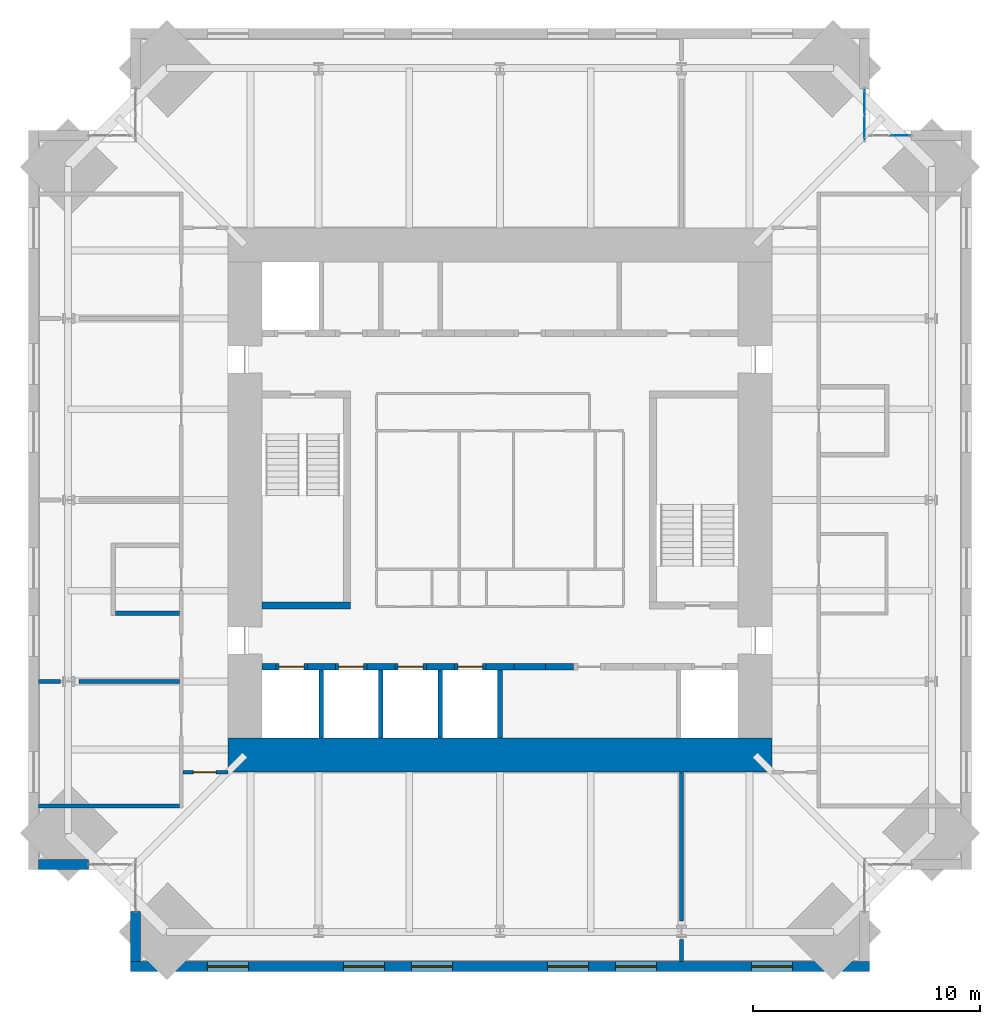
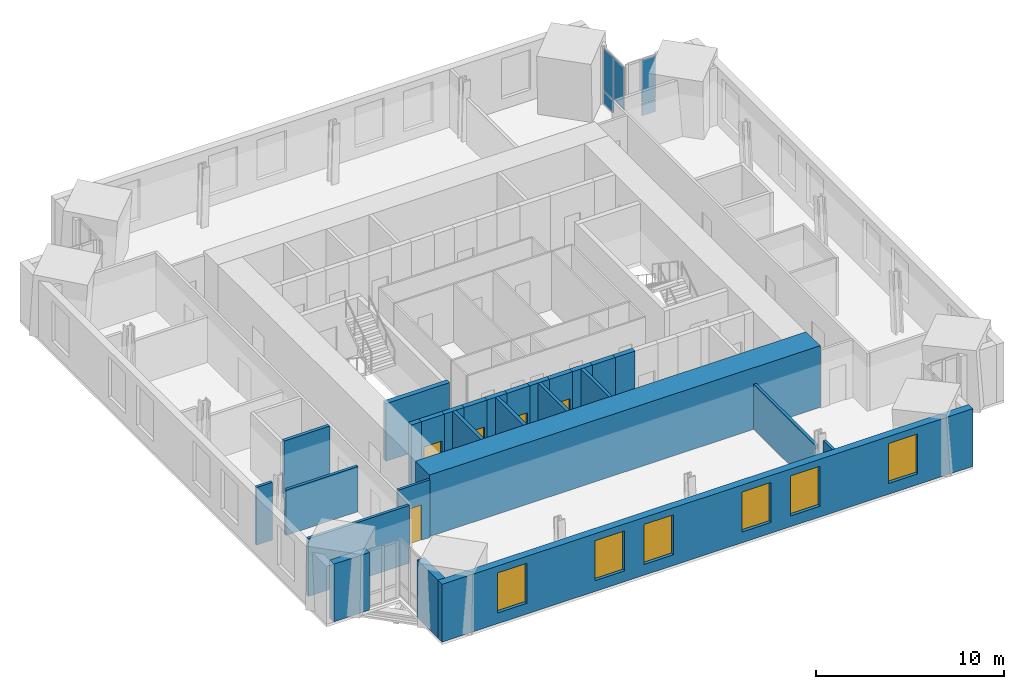
# One storey, part 10 of 15: 27 walls, 6 windows, 5 doors, 5 plates, 11 openings, 2 elements without a shape of their own.
"""IFC4 building model written with IfcOpenShell, lengths in metres."""

from ifc_helpers import new_model, si_unit, direction, frame, frame_2d, origin, origin_2d, place, context, subcontext, project, spatial, rectangle, extrude, material, layer, layer_set, type_object, element, fill, aggregate, save


model = new_model("IFC4")

# Units and contexts
model_context = context("Model", 3, precision=1e-05, world=origin(), true_north=direction((0.0, 1.0)))
body_context = subcontext(model_context, "Body", "Model", "MODEL_VIEW")
ifc_project = project(units=[si_unit("LENGTHUNIT", "METRE"), si_unit("AREAUNIT", "SQUARE_METRE"), si_unit("VOLUMEUNIT", "CUBIC_METRE"), si_unit("PLANEANGLEUNIT", "RADIAN"), si_unit("MASSUNIT", "GRAM", prefix="KILO")], contexts=[model_context])

# Site, building, storey
site_placement = place(None, origin())
site = spatial("IfcSite", under=ifc_project, at=site_placement, CompositionType="ELEMENT")
building_placement = place(site_placement, origin())
building = spatial("IfcBuilding", under=site, at=building_placement, Name="Peilmerk Tower", CompositionType="ELEMENT")
storey_placement = place(building_placement, frame((0.0, 0.0, 293.800048828125)))
storey = spatial("IfcBuildingStorey", under=building, at=storey_placement, Name="L66", CompositionType="ELEMENT", Elevation=293.800048828125)

# Curtain wall, plates
ifc_material_1 = material(Name="Aluminium stick curtain wall", Category="aluminium")
curtain_wall_type = type_object("IfcCurtainWallType", Name="CW4 stick curtain wall, 2250 module", PredefinedType="NOTDEFINED", material=ifc_material_1)
curtain_wall_1_placement = place(storey_placement, origin())
curtain_wall_1 = element("IfcCurtainWall", 1, at=curtain_wall_1_placement, inside=storey, type_object=curtain_wall_type, Name="Curtain wall CW4 NEA L66", PredefinedType="NOTDEFINED")
ifc_material_2 = material(Name="Clear insulated glazing unit", Category="glass")
ifc_layer_1 = layer(ifc_material_2, 0.028076171875)
ifc_layer_set_1 = layer_set([ifc_layer_1], Name="Clear insulated glazing unit")
plate_type = type_object("IfcPlateType", Name="CW4-P 28 glazed panel", PredefinedType="CURTAIN_PANEL", material=ifc_layer_set_1)
plate_1_placement = place(storey_placement, frame((16.074951171875, 16.4384765625, 0.932373046875), z_axis=(0.0, 0.0, 1.0), x_axis=(0.0, 1.0, 0.0)))
plate_1 = element("IfcPlate", 2, at=plate_1_placement, type_object=plate_type, Name="CW4 panel 1.2", PredefinedType="CURTAIN_PANEL", context=body_context, shape_type="SweptSolid", body=[
    extrude(rectangle(XDim=1.046875, YDim=0.028076171875, at=origin_2d()), origin(), (0.0, 0.0, 1.0), 2.75244140625),
])
plate_2_placement = place(storey_placement, frame((16.074951171875, 17.55029296875, 0.06494140625), z_axis=(0.0, 0.0, 1.0), x_axis=(0.0, 1.0, 0.0)))
plate_2 = element("IfcPlate", 3, at=plate_2_placement, type_object=plate_type, Name="CW4 panel 2.1", PredefinedType="CURTAIN_PANEL", context=body_context, shape_type="SweptSolid", body=[
    extrude(rectangle(XDim=1.046875, YDim=0.028076171875, at=origin_2d()), origin(), (0.0, 0.0, 1.0), 0.802490234375),
])
plate_3_placement = place(storey_placement, frame((16.074951171875, 17.55029296875, 0.932373046875), z_axis=(0.0, 0.0, 1.0), x_axis=(0.0, 1.0, 0.0)))
plate_3 = element("IfcPlate", 4, at=plate_3_placement, type_object=plate_type, Name="CW4 panel 2.2", PredefinedType="CURTAIN_PANEL", context=body_context, shape_type="SweptSolid", body=[
    extrude(rectangle(XDim=1.046875, YDim=0.028076171875, at=origin_2d()), origin(), (0.0, 0.0, 1.0), 2.75244140625),
])
aggregate(curtain_wall_1, [plate_1, plate_2, plate_3])

curtain_wall_2_placement = place(storey_placement, origin())
curtain_wall_2 = element("IfcCurtainWall", 5, at=curtain_wall_2_placement, inside=storey, type_object=curtain_wall_type, Name="Curtain wall CW4 NEB L66", PredefinedType="NOTDEFINED")
plate_4_placement = place(storey_placement, frame((17.662841796875, 16.074951171875, 0.06494140625), z_axis=(0.0, 0.0, 1.0), x_axis=(1.0, 0.0, 0.0)))
plate_4 = element("IfcPlate", 6, at=plate_4_placement, type_object=plate_type, Name="CW4 panel 2.1", PredefinedType="CURTAIN_PANEL", context=body_context, shape_type="SweptSolid", body=[
    extrude(rectangle(XDim=0.82177734375, YDim=0.028076171875, at=origin_2d()), origin(), (0.0, 0.0, 1.0), 0.802490234375),
])
plate_5_placement = place(storey_placement, frame((17.662841796875, 16.074951171875, 0.932373046875), z_axis=(0.0, 0.0, 1.0), x_axis=(1.0, 0.0, 0.0)))
plate_5 = element("IfcPlate", 7, at=plate_5_placement, type_object=plate_type, Name="CW4 panel 2.2", PredefinedType="CURTAIN_PANEL", context=body_context, shape_type="SweptSolid", body=[
    extrude(rectangle(XDim=0.82177734375, YDim=0.028076171875, at=origin_2d()), origin(), (0.0, 0.0, 1.0), 2.75244140625),
])
aggregate(curtain_wall_2, [plate_4, plate_5])

# Wall, openings, windows
ifc_material_3 = material(Name="Precast concrete C45/55, board-marked finish", Category="concrete")
ifc_layer_2 = layer(ifc_material_3, 0.449951171875)
ifc_layer_set_2 = layer_set([ifc_layer_2], Name="Precast concrete C45/55, board-marked finish")
wall_type_1 = type_object("IfcWallType", Name="EW1 450 precast concrete facade wall, board-marked", PredefinedType="SOLIDWALL", material=ifc_layer_set_2)
wall_1_placement = place(storey_placement, frame((-16.300048828125, -20.574951171875, 0.0), z_axis=(0.0, 0.0, 1.0), x_axis=(1.0, 0.0, 0.0)))
wall_1 = element("IfcWall", 8, at=wall_1_placement, inside=storey, type_object=wall_type_1, Name="Facade wall S L66", PredefinedType="SOLIDWALL", context=body_context, shape_type="SweptSolid", body=[
    extrude(rectangle(XDim=32.60009765625, YDim=0.449951171875, at=frame_2d((16.300048828125, 0.0))), origin(), (0.0, 0.0, 1.0), 3.75),
])
opening_1_placement = place(wall_1_placement, frame((3.39990234375, 0.0, 0.699951171875)))
opening_1 = element("IfcOpeningElement", 9, at=opening_1_placement, cuts=wall_1, Name="Opening W1", PredefinedType="OPENING", context=body_context, shape_type="SweptSolid", body=[
    extrude(rectangle(XDim=1.800048828125, YDim=2.60009765625, at=frame_2d((0.89990234375, 1.300048828125))), frame((0.0, 0.23486328125, 0.0), z_axis=(0.0, -1.0, 0.0), x_axis=(1.0, 0.0, 0.0)), (0.0, 0.0, 1.0), 0.469970703125),
])
opening_2_placement = place(wall_1_placement, frame((9.39990234375, 0.0, 0.699951171875)))
opening_2 = element("IfcOpeningElement", 10, at=opening_2_placement, cuts=wall_1, Name="Opening W1", PredefinedType="OPENING", context=body_context, shape_type="SweptSolid", body=[
    extrude(rectangle(XDim=1.800048828125, YDim=2.60009765625, at=frame_2d((0.89990234375, 1.300048828125))), frame((0.0, 0.23486328125, 0.0), z_axis=(0.0, -1.0, 0.0), x_axis=(1.0, 0.0, 0.0)), (0.0, 0.0, 1.0), 0.469970703125),
])
opening_3_placement = place(wall_1_placement, frame((12.39990234375, 0.0, 0.699951171875)))
opening_3 = element("IfcOpeningElement", 11, at=opening_3_placement, cuts=wall_1, Name="Opening W1", PredefinedType="OPENING", context=body_context, shape_type="SweptSolid", body=[
    extrude(rectangle(XDim=1.800048828125, YDim=2.60009765625, at=frame_2d((0.89990234375, 1.300048828125))), frame((0.0, 0.23486328125, 0.0), z_axis=(0.0, -1.0, 0.0), x_axis=(1.0, 0.0, 0.0)), (0.0, 0.0, 1.0), 0.469970703125),
])
opening_4_placement = place(wall_1_placement, frame((18.39990234375, 0.0, 0.699951171875)))
opening_4 = element("IfcOpeningElement", 12, at=opening_4_placement, cuts=wall_1, Name="Opening W1", PredefinedType="OPENING", context=body_context, shape_type="SweptSolid", body=[
    extrude(rectangle(XDim=1.800048828125, YDim=2.60009765625, at=frame_2d((0.89990234375, 1.300048828125))), frame((0.0, 0.23486328125, 0.0), z_axis=(0.0, -1.0, 0.0), x_axis=(1.0, 0.0, 0.0)), (0.0, 0.0, 1.0), 0.469970703125),
])
opening_5_placement = place(wall_1_placement, frame((21.39990234375, 0.0, 0.699951171875)))
opening_5 = element("IfcOpeningElement", 13, at=opening_5_placement, cuts=wall_1, Name="Opening W1", PredefinedType="OPENING", context=body_context, shape_type="SweptSolid", body=[
    extrude(rectangle(XDim=1.800048828125, YDim=2.60009765625, at=frame_2d((0.89990234375, 1.300048828125))), frame((0.0, 0.23486328125, 0.0), z_axis=(0.0, -1.0, 0.0), x_axis=(1.0, 0.0, 0.0)), (0.0, 0.0, 1.0), 0.469970703125),
])
opening_6_placement = place(wall_1_placement, frame((27.39990234375, 0.0, 0.699951171875)))
opening_6 = element("IfcOpeningElement", 14, at=opening_6_placement, cuts=wall_1, Name="Opening W1", PredefinedType="OPENING", context=body_context, shape_type="SweptSolid", body=[
    extrude(rectangle(XDim=1.800048828125, YDim=2.60009765625, at=frame_2d((0.89990234375, 1.300048828125))), frame((0.0, 0.23486328125, 0.0), z_axis=(0.0, -1.0, 0.0), x_axis=(1.0, 0.0, 0.0)), (0.0, 0.0, 1.0), 0.469970703125),
])
ifc_material_4 = material(Name="Aluminium frame, clear double glazing", Category="aluminium")
window_type = type_object("IfcWindowType", Name="W1 1800x2600 office window", PartitioningType="SINGLE_PANEL", PredefinedType="WINDOW", material=ifc_material_4)
window_1_placement = place(opening_1_placement, origin())
window_1 = element("IfcWindow", 15, at=window_1_placement, inside=storey, type_object=window_type, Name="Window W1 L66", OverallHeight=2.60009765625, OverallWidth=1.800048828125, PartitioningType="SINGLE_PANEL", PredefinedType="WINDOW", context=body_context, shape_type="SweptSolid", body=[
    extrude(rectangle(XDim=1.800048828125, YDim=2.60009765625, at=frame_2d((0.89990234375, 1.300048828125))), frame((0.0, 0.030029296875, 0.0), z_axis=(0.0, -1.0, 0.0), x_axis=(1.0, 0.0, 0.0)), (0.0, 0.0, 1.0), 0.06005859375),
])
fill(opening_1, window_1)
window_2_placement = place(opening_2_placement, origin())
window_2 = element("IfcWindow", 16, at=window_2_placement, inside=storey, type_object=window_type, Name="Window W1 L66", OverallHeight=2.60009765625, OverallWidth=1.800048828125, PartitioningType="SINGLE_PANEL", PredefinedType="WINDOW", context=body_context, shape_type="SweptSolid", body=[
    extrude(rectangle(XDim=1.800048828125, YDim=2.60009765625, at=frame_2d((0.89990234375, 1.300048828125))), frame((0.0, 0.030029296875, 0.0), z_axis=(0.0, -1.0, 0.0), x_axis=(1.0, 0.0, 0.0)), (0.0, 0.0, 1.0), 0.06005859375),
])
fill(opening_2, window_2)
window_3_placement = place(opening_3_placement, origin())
window_3 = element("IfcWindow", 17, at=window_3_placement, inside=storey, type_object=window_type, Name="Window W1 L66", OverallHeight=2.60009765625, OverallWidth=1.800048828125, PartitioningType="SINGLE_PANEL", PredefinedType="WINDOW", context=body_context, shape_type="SweptSolid", body=[
    extrude(rectangle(XDim=1.800048828125, YDim=2.60009765625, at=frame_2d((0.89990234375, 1.300048828125))), frame((0.0, 0.030029296875, 0.0), z_axis=(0.0, -1.0, 0.0), x_axis=(1.0, 0.0, 0.0)), (0.0, 0.0, 1.0), 0.06005859375),
])
fill(opening_3, window_3)
window_4_placement = place(opening_4_placement, origin())
window_4 = element("IfcWindow", 18, at=window_4_placement, inside=storey, type_object=window_type, Name="Window W1 L66", OverallHeight=2.60009765625, OverallWidth=1.800048828125, PartitioningType="SINGLE_PANEL", PredefinedType="WINDOW", context=body_context, shape_type="SweptSolid", body=[
    extrude(rectangle(XDim=1.800048828125, YDim=2.60009765625, at=frame_2d((0.89990234375, 1.300048828125))), frame((0.0, 0.030029296875, 0.0), z_axis=(0.0, -1.0, 0.0), x_axis=(1.0, 0.0, 0.0)), (0.0, 0.0, 1.0), 0.06005859375),
])
fill(opening_4, window_4)
window_5_placement = place(opening_5_placement, origin())
window_5 = element("IfcWindow", 19, at=window_5_placement, inside=storey, type_object=window_type, Name="Window W1 L66", OverallHeight=2.60009765625, OverallWidth=1.800048828125, PartitioningType="SINGLE_PANEL", PredefinedType="WINDOW", context=body_context, shape_type="SweptSolid", body=[
    extrude(rectangle(XDim=1.800048828125, YDim=2.60009765625, at=frame_2d((0.89990234375, 1.300048828125))), frame((0.0, 0.030029296875, 0.0), z_axis=(0.0, -1.0, 0.0), x_axis=(1.0, 0.0, 0.0)), (0.0, 0.0, 1.0), 0.06005859375),
])
fill(opening_5, window_5)
window_6_placement = place(opening_6_placement, origin())
window_6 = element("IfcWindow", 20, at=window_6_placement, inside=storey, type_object=window_type, Name="Window W1 L66", OverallHeight=2.60009765625, OverallWidth=1.800048828125, PartitioningType="SINGLE_PANEL", PredefinedType="WINDOW", context=body_context, shape_type="SweptSolid", body=[
    extrude(rectangle(XDim=1.800048828125, YDim=2.60009765625, at=frame_2d((0.89990234375, 1.300048828125))), frame((0.0, 0.030029296875, 0.0), z_axis=(0.0, -1.0, 0.0), x_axis=(1.0, 0.0, 0.0)), (0.0, 0.0, 1.0), 0.06005859375),
])
fill(opening_6, window_6)

# Walls
for number, where, z_axis, x_axis, name in (
    (21, (-16.074951171875, -18.153564453125, 0.0), (0.0, 0.0, 1.0), (0.0, -1.0, 0.0), "Facade wall SWA L66"),
    (22, (-18.153564453125, -16.074951171875, 0.0), (0.0, 0.0, 1.0), (-1.0, 0.0, 0.0), "Facade wall SWB L66"),
):
    element("IfcWall", number, at=place(storey_placement, frame(where, z_axis=z_axis, x_axis=x_axis)), inside=storey, type_object=wall_type_1, Name=name, PredefinedType="SOLIDWALL", context=body_context, shape_type="SweptSolid", body=[
        extrude(rectangle(XDim=2.196533203125, YDim=0.449951171875, at=frame_2d((1.09814453125, 0.0))), origin(), (0.0, 0.0, 1.0), 3.75),
    ])

# Wall, opening, door
ifc_material_5 = material(Name="Calcium silicate block", Category="masonry")
ifc_layer_3 = layer(ifc_material_5, 0.14990234375)
ifc_layer_set_3 = layer_set([ifc_layer_3], Name="Calcium silicate block")
wall_type_2 = type_object("IfcWallType", Name="IW1 150 corridor partition, EI 60", PredefinedType="PARTITIONING", material=ifc_layer_set_3)
wall_2_placement = place(storey_placement, frame((-12.0, -12.0, 0.0), z_axis=(0.0, 0.0, 1.0), x_axis=(-1.0, 0.0, 0.0)))
wall_2 = element("IfcWall", 23, at=wall_2_placement, inside=storey, type_object=wall_type_2, Name="Corridor wall SW L66", PredefinedType="PARTITIONING", context=body_context, shape_type="SweptSolid", body=[
    extrude(rectangle(XDim=1.97509765625, YDim=0.14990234375, at=frame_2d((0.987548828125, 0.0))), origin(), (0.0, 0.0, 1.0), 3.75),
])
opening_7_placement = place(wall_2_placement, frame((0.52490234375, 0.0, 0.0)))
opening_7 = element("IfcOpeningElement", 24, at=opening_7_placement, cuts=wall_2, Name="Opening D1", PredefinedType="OPENING", context=body_context, shape_type="SweptSolid", body=[
    extrude(rectangle(XDim=1.0, YDim=2.300048828125, at=frame_2d((0.5, 1.14990234375))), frame((0.0, 0.0849609375, 0.0), z_axis=(0.0, -1.0, 0.0), x_axis=(1.0, 0.0, 0.0)), (0.0, 0.0, 1.0), 0.169921875),
])
ifc_material_6 = material(Name="Timber door in steel frame", Category="steel")
door_type_1 = type_object("IfcDoorType", Name="D1 1000x2300 room door, EI2 30", OperationType="SINGLE_SWING_LEFT", PredefinedType="DOOR", material=ifc_material_6)
door_1_placement = place(opening_7_placement, origin())
door_1 = element("IfcDoor", 25, at=door_1_placement, inside=storey, type_object=door_type_1, Name="Door Reception L66", OperationType="SINGLE_SWING_LEFT", OverallHeight=2.300048828125, OverallWidth=1.0, PredefinedType="DOOR", context=body_context, shape_type="SweptSolid", body=[
    extrude(rectangle(XDim=1.0, YDim=2.300048828125, at=frame_2d((0.5, 1.14990234375))), frame((0.0, 0.02490234375, 0.0), z_axis=(0.0, -1.0, 0.0), x_axis=(1.0, 0.0, 0.0)), (0.0, 0.0, 1.0), 0.050048828125),
])
fill(opening_7, door_1)

# Walls
ifc_layer_4 = layer(ifc_material_5, 0.199951171875)
ifc_layer_set_4 = layer_set([ifc_layer_4], Name="Calcium silicate block")
wall_type_3 = type_object("IfcWallType", Name="IW2 200 room separating wall, EI 120", PredefinedType="PARTITIONING", material=ifc_layer_set_4)
wall_3_placement = place(storey_placement, frame((-14.125, -5.0, 0.0), z_axis=(0.0, 0.0, 1.0), x_axis=(-1.0, 0.0, 0.0)))
element("IfcWall", 26, at=wall_3_placement, inside=storey, type_object=wall_type_3, Name="Room separating wall Staff room L66", PredefinedType="PARTITIONING", context=body_context, shape_type="SweptSolid", body=[
    extrude(rectangle(XDim=2.824951171875, YDim=0.199951171875, at=frame_2d((1.41259765625, 0.0))), origin(), (0.0, 0.0, 1.0), 3.75),
])
ifc_material_7 = material(Name="Concrete C35/45", Category="concrete")
ifc_layer_5 = layer(ifc_material_7, 0.300048828125)
ifc_layer_set_5 = layer_set([ifc_layer_5], Name="Concrete C35/45")
wall_type_4 = type_object("IfcWallType", Name="IW3 300 concrete stair enclosure wall, EI 120", PredefinedType="SOLIDWALL", material=ifc_layer_set_5)
wall_4_placement = place(storey_placement, frame((-6.60009765625, -4.64990234375, 0.0), z_axis=(0.0, 0.0, 1.0), x_axis=(-1.0, 0.0, 0.0)))
element("IfcWall", 27, at=wall_4_placement, inside=storey, type_object=wall_type_4, Name="Stair 1 enclosure L66", PredefinedType="SOLIDWALL", context=body_context, shape_type="SweptSolid", body=[
    extrude(rectangle(XDim=3.89990234375, YDim=0.300048828125, at=frame_2d((1.949951171875, 0.0))), origin(), (0.0, 0.0, 1.0), 3.75),
])
ifc_layer_6 = layer(ifc_material_5, 0.175048828125)
ifc_layer_set_6 = layer_set([ifc_layer_6], Name="Calcium silicate block")
wall_type_5 = type_object("IfcWallType", Name="IW8 175 tenant separating wall, EI 60", PredefinedType="PARTITIONING", material=ifc_layer_set_6)
wall_5_placement = place(storey_placement, frame((-14.125, -13.5, 0.0), z_axis=(0.0, 0.0, 1.0), x_axis=(-1.0, 0.0, 0.0)))
element("IfcWall", 28, at=wall_5_placement, inside=storey, type_object=wall_type_5, Name="Tenant separating wall SW L66", PredefinedType="PARTITIONING", context=body_context, shape_type="SweptSolid", body=[
    extrude(rectangle(XDim=6.22509765625, YDim=0.175048828125, at=frame_2d((3.112548828125, 0.0))), origin(), (0.0, 0.0, 1.0), 3.75),
])
wall_6_placement = place(storey_placement, frame((8.0, -12.0, 0.0), z_axis=(0.0, 0.0, 1.0), x_axis=(0.0, -1.0, 0.0)))
element("IfcWall", 29, at=wall_6_placement, inside=storey, type_object=wall_type_5, Name="Tenant separating wall S1 L66", PredefinedType="PARTITIONING", context=body_context, shape_type="SweptSolid", body=[
    extrude(rectangle(XDim=6.55908203125, YDim=0.175048828125, at=frame_2d((3.279541015625, 0.0))), origin(), (0.0, 0.0, 1.0), 2.93603515625),
])
wall_7_placement = place(storey_placement, frame((8.0, -19.379638671875, 0.0), z_axis=(0.0, 0.0, 1.0), x_axis=(0.0, -1.0, 0.0)))
element("IfcWall", 30, at=wall_7_placement, inside=storey, type_object=wall_type_5, Name="Tenant separating wall S1b L66", PredefinedType="PARTITIONING", context=body_context, shape_type="SweptSolid", body=[
    extrude(rectangle(XDim=0.970458984375, YDim=0.175048828125, at=frame_2d((0.4853515625, 0.0))), origin(), (0.0, 0.0, 1.0), 3.75),
])
wall_8_placement = place(storey_placement, frame((-14.125, -8.0, 0.0), z_axis=(0.0, 0.0, 1.0), x_axis=(-1.0, 0.0, 0.0)))
element("IfcWall", 31, at=wall_8_placement, inside=storey, type_object=wall_type_5, Name="Tenant separating wall W1 L66", PredefinedType="PARTITIONING", context=body_context, shape_type="SweptSolid", body=[
    extrude(rectangle(XDim=4.43408203125, YDim=0.175048828125, at=frame_2d((2.217041015625, 0.0))), origin(), (0.0, 0.0, 1.0), 2.93603515625),
])
wall_9_placement = place(storey_placement, frame((-19.379638671875, -8.0, 0.0), z_axis=(0.0, 0.0, 1.0), x_axis=(-1.0, 0.0, 0.0)))
element("IfcWall", 32, at=wall_9_placement, inside=storey, type_object=wall_type_5, Name="Tenant separating wall W1b L66", PredefinedType="PARTITIONING", context=body_context, shape_type="SweptSolid", body=[
    extrude(rectangle(XDim=0.970458984375, YDim=0.175048828125, at=frame_2d((0.4853515625, 0.0))), origin(), (0.0, 0.0, 1.0), 3.75),
])
ifc_layer_7 = layer(ifc_material_5, 0.199951171875)
ifc_layer_set_7 = layer_set([ifc_layer_7], Name="Calcium silicate block")
wall_type_6 = type_object("IfcWallType", Name="SH1 200 shaft dividing wall, EI 120", PredefinedType="PARTITIONING", material=ifc_layer_set_7)
for number, where, z_axis, x_axis, name in (
    (33, (-7.875, -10.5, 0.0), (0.0, 0.0, 1.0), (0.0, 1.0, 0.0), "Shaft wall S C4 L66"),
    (34, (-5.25, -10.5, 0.0), (0.0, 0.0, 1.0), (0.0, 1.0, 0.0), "Shaft wall S C3 L66"),
    (35, (-2.625, -10.5, 0.0), (0.0, 0.0, 1.0), (0.0, 1.0, 0.0), "Shaft wall S C2 L66"),
    (36, (0.0, -10.5, 0.0), (0.0, 0.0, 1.0), (0.0, 1.0, 0.0), "Shaft wall S C1 L66"),
):
    element("IfcWall", number, at=place(storey_placement, frame(where, z_axis=z_axis, x_axis=x_axis)), inside=storey, type_object=wall_type_6, Name=name, PredefinedType="PARTITIONING", context=body_context, shape_type="SweptSolid", body=[
        extrude(rectangle(XDim=3.0, YDim=0.199951171875, at=frame_2d((1.5, 0.0))), origin(), (0.0, 0.0, 1.0), 4.0),
    ])

# Wall, opening, door
ifc_layer_8 = layer(ifc_material_5, 0.300048828125)
ifc_layer_set_8 = layer_set([ifc_layer_8], Name="Calcium silicate block")
wall_type_7 = type_object("IfcWallType", Name="SH2 300 lift landing door panel, EI 120", PredefinedType="PARTITIONING", material=ifc_layer_set_8)
wall_10_placement = place(storey_placement, frame((-9.887451171875, -7.35009765625, 0.0), z_axis=(0.0, 0.0, 1.0), x_axis=(1.0, 0.0, 0.0)))
wall_10 = element("IfcWall", 37, at=wall_10_placement, inside=storey, type_object=wall_type_7, Name="Lift door panel S C4 L66", PredefinedType="PARTITIONING", context=body_context, shape_type="SweptSolid", body=[
    extrude(rectangle(XDim=1.39990234375, YDim=0.300048828125, at=frame_2d((0.699951171875, 0.0))), origin(), (0.0, 0.0, 1.0), 4.0),
])
opening_8_placement = place(wall_10_placement, frame((0.14990234375, 0.0, 0.0)))
opening_8 = element("IfcOpeningElement", 38, at=opening_8_placement, cuts=wall_10, Name="Opening LD1", PredefinedType="OPENING", context=body_context, shape_type="SweptSolid", body=[
    extrude(rectangle(XDim=1.10009765625, YDim=2.300048828125, at=frame_2d((0.550048828125, 1.14990234375))), frame((0.0, 0.159912109375, 0.0), z_axis=(0.0, -1.0, 0.0), x_axis=(1.0, 0.0, 0.0)), (0.0, 0.0, 1.0), 0.320068359375),
])
ifc_material_8 = material(Name="Stainless steel landing door", Category="steel")
door_type_2 = type_object("IfcDoorType", Name="LD1 1100x2300 lift landing door, sliding, EI2 60", OperationType="SLIDING_TO_LEFT", PredefinedType="DOOR", material=ifc_material_8)
door_2_placement = place(opening_8_placement, origin())
door_2 = element("IfcDoor", 39, at=door_2_placement, inside=storey, type_object=door_type_2, Name="Lift landing door C4 L66", OperationType="SLIDING_TO_LEFT", OverallHeight=2.300048828125, OverallWidth=1.10009765625, PredefinedType="DOOR", context=body_context, shape_type="SweptSolid", body=[
    extrude(rectangle(XDim=1.10009765625, YDim=2.300048828125, at=frame_2d((0.550048828125, 1.14990234375))), frame((0.0, 0.02490234375, 0.0), z_axis=(0.0, -1.0, 0.0), x_axis=(1.0, 0.0, 0.0)), (0.0, 0.0, 1.0), 0.050048828125),
])
fill(opening_8, door_2)

wall_11_placement = place(storey_placement, frame((-7.262451171875, -7.35009765625, 0.0), z_axis=(0.0, 0.0, 1.0), x_axis=(1.0, 0.0, 0.0)))
wall_11 = element("IfcWall", 40, at=wall_11_placement, inside=storey, type_object=wall_type_7, Name="Lift door panel S C3 L66", PredefinedType="PARTITIONING", context=body_context, shape_type="SweptSolid", body=[
    extrude(rectangle(XDim=1.39990234375, YDim=0.300048828125, at=frame_2d((0.699951171875, 0.0))), origin(), (0.0, 0.0, 1.0), 4.0),
])
opening_9_placement = place(wall_11_placement, frame((0.14990234375, 0.0, 0.0)))
opening_9 = element("IfcOpeningElement", 41, at=opening_9_placement, cuts=wall_11, Name="Opening LD1", PredefinedType="OPENING", context=body_context, shape_type="SweptSolid", body=[
    extrude(rectangle(XDim=1.10009765625, YDim=2.300048828125, at=frame_2d((0.550048828125, 1.14990234375))), frame((0.0, 0.159912109375, 0.0), z_axis=(0.0, -1.0, 0.0), x_axis=(1.0, 0.0, 0.0)), (0.0, 0.0, 1.0), 0.320068359375),
])
door_3_placement = place(opening_9_placement, origin())
door_3 = element("IfcDoor", 42, at=door_3_placement, inside=storey, type_object=door_type_2, Name="Lift landing door C3 L66", OperationType="SLIDING_TO_LEFT", OverallHeight=2.300048828125, OverallWidth=1.10009765625, PredefinedType="DOOR", context=body_context, shape_type="SweptSolid", body=[
    extrude(rectangle(XDim=1.10009765625, YDim=2.300048828125, at=frame_2d((0.550048828125, 1.14990234375))), frame((0.0, 0.02490234375, 0.0), z_axis=(0.0, -1.0, 0.0), x_axis=(1.0, 0.0, 0.0)), (0.0, 0.0, 1.0), 0.050048828125),
])
fill(opening_9, door_3)

wall_12_placement = place(storey_placement, frame((-4.637451171875, -7.35009765625, 0.0), z_axis=(0.0, 0.0, 1.0), x_axis=(1.0, 0.0, 0.0)))
wall_12 = element("IfcWall", 43, at=wall_12_placement, inside=storey, type_object=wall_type_7, Name="Lift door panel S C2 L66", PredefinedType="PARTITIONING", context=body_context, shape_type="SweptSolid", body=[
    extrude(rectangle(XDim=1.39990234375, YDim=0.300048828125, at=frame_2d((0.699951171875, 0.0))), origin(), (0.0, 0.0, 1.0), 4.0),
])
opening_10_placement = place(wall_12_placement, frame((0.14990234375, 0.0, 0.0)))
opening_10 = element("IfcOpeningElement", 44, at=opening_10_placement, cuts=wall_12, Name="Opening LD1", PredefinedType="OPENING", context=body_context, shape_type="SweptSolid", body=[
    extrude(rectangle(XDim=1.10009765625, YDim=2.300048828125, at=frame_2d((0.550048828125, 1.14990234375))), frame((0.0, 0.159912109375, 0.0), z_axis=(0.0, -1.0, 0.0), x_axis=(1.0, 0.0, 0.0)), (0.0, 0.0, 1.0), 0.320068359375),
])
door_4_placement = place(opening_10_placement, origin())
door_4 = element("IfcDoor", 45, at=door_4_placement, inside=storey, type_object=door_type_2, Name="Lift landing door C2 L66", OperationType="SLIDING_TO_LEFT", OverallHeight=2.300048828125, OverallWidth=1.10009765625, PredefinedType="DOOR", context=body_context, shape_type="SweptSolid", body=[
    extrude(rectangle(XDim=1.10009765625, YDim=2.300048828125, at=frame_2d((0.550048828125, 1.14990234375))), frame((0.0, 0.02490234375, 0.0), z_axis=(0.0, -1.0, 0.0), x_axis=(1.0, 0.0, 0.0)), (0.0, 0.0, 1.0), 0.050048828125),
])
fill(opening_10, door_4)

wall_13_placement = place(storey_placement, frame((-2.012451171875, -7.35009765625, 0.0), z_axis=(0.0, 0.0, 1.0), x_axis=(1.0, 0.0, 0.0)))
wall_13 = element("IfcWall", 46, at=wall_13_placement, inside=storey, type_object=wall_type_7, Name="Lift door panel S C1 L66", PredefinedType="PARTITIONING", context=body_context, shape_type="SweptSolid", body=[
    extrude(rectangle(XDim=1.39990234375, YDim=0.300048828125, at=frame_2d((0.699951171875, 0.0))), origin(), (0.0, 0.0, 1.0), 4.0),
])
opening_11_placement = place(wall_13_placement, frame((0.14990234375, 0.0, 0.0)))
opening_11 = element("IfcOpeningElement", 47, at=opening_11_placement, cuts=wall_13, Name="Opening LD1", PredefinedType="OPENING", context=body_context, shape_type="SweptSolid", body=[
    extrude(rectangle(XDim=1.10009765625, YDim=2.300048828125, at=frame_2d((0.550048828125, 1.14990234375))), frame((0.0, 0.159912109375, 0.0), z_axis=(0.0, -1.0, 0.0), x_axis=(1.0, 0.0, 0.0)), (0.0, 0.0, 1.0), 0.320068359375),
])
door_5_placement = place(opening_11_placement, origin())
door_5 = element("IfcDoor", 48, at=door_5_placement, inside=storey, type_object=door_type_2, Name="Lift landing door C1 L66", OperationType="SLIDING_TO_LEFT", OverallHeight=2.300048828125, OverallWidth=1.10009765625, PredefinedType="DOOR", context=body_context, shape_type="SweptSolid", body=[
    extrude(rectangle(XDim=1.10009765625, YDim=2.300048828125, at=frame_2d((0.550048828125, 1.14990234375))), frame((0.0, 0.02490234375, 0.0), z_axis=(0.0, -1.0, 0.0), x_axis=(1.0, 0.0, 0.0)), (0.0, 0.0, 1.0), 0.050048828125),
])
fill(opening_11, door_5)

# Walls
wall_14_placement = place(storey_placement, frame((0.612548828125, -7.35009765625, 0.0), z_axis=(0.0, 0.0, 1.0), x_axis=(1.0, 0.0, 0.0)))
element("IfcWall", 49, at=wall_14_placement, inside=storey, type_object=wall_type_7, Name="Lift door panel S B3 L66", PredefinedType="PARTITIONING", context=body_context, shape_type="SweptSolid", body=[
    extrude(rectangle(XDim=1.39990234375, YDim=0.300048828125, at=frame_2d((0.699951171875, 0.0))), origin(), (0.0, 0.0, 1.0), 4.0),
])
ifc_material_9 = material(Name="Concrete C55/67", Category="concrete")
ifc_layer_9 = layer(ifc_material_9, 1.5)
ifc_layer_set_9 = layer_set([ifc_layer_9], Name="Concrete C55/67")
wall_type_8 = type_object("IfcWallType", Name="SW1 1500 core wall", PredefinedType="SHEAR", material=ifc_layer_set_9)
wall_15_placement = place(storey_placement, frame((12.0, -11.25, 0.0), z_axis=(0.0, 0.0, 1.0), x_axis=(-1.0, 0.0, 0.0)))
element("IfcWall", 50, at=wall_15_placement, inside=storey, type_object=wall_type_8, Name="Core wall S L66", PredefinedType="SHEAR", context=body_context, shape_type="SweptSolid", body=[
    extrude(rectangle(XDim=24.0, YDim=1.5, at=frame_2d((12.0, 0.0))), origin(), (0.0, 0.0, 1.0), 4.0),
])
ifc_layer_10 = layer(ifc_material_9, 0.300048828125)
ifc_layer_set_10 = layer_set([ifc_layer_10], Name="Concrete C55/67")
wall_type_9 = type_object("IfcWallType", Name="SW2 300 lift bank pier", PredefinedType="SHEAR", material=ifc_layer_set_10)
wall_16_placement = place(storey_placement, frame((-10.5, -7.35009765625, 0.0), z_axis=(0.0, 0.0, 1.0), x_axis=(1.0, 0.0, 0.0)))
element("IfcWall", 51, at=wall_16_placement, inside=storey, type_object=wall_type_9, Name="Lift bank pier S L66", PredefinedType="SHEAR", context=body_context, shape_type="SweptSolid", body=[
    extrude(rectangle(XDim=0.612548828125, YDim=0.300048828125, at=frame_2d((0.30615234375, 0.0))), origin(), (0.0, 0.0, 1.0), 4.0),
])
for number, where, z_axis, x_axis, name in (
    (52, (-8.487548828125, -7.35009765625, 0.0), (0.0, 0.0, 1.0), (1.0, 0.0, 0.0), "Lift bank pier S L66"),
    (53, (-5.862548828125, -7.35009765625, 0.0), (0.0, 0.0, 1.0), (1.0, 0.0, 0.0), "Lift bank pier S L66"),
    (54, (-3.237548828125, -7.35009765625, 0.0), (0.0, 0.0, 1.0), (1.0, 0.0, 0.0), "Lift bank pier S L66"),
    (55, (-0.612548828125, -7.35009765625, 0.0), (0.0, 0.0, 1.0), (1.0, 0.0, 0.0), "Lift bank pier S L66"),
    (56, (2.012451171875, -7.35009765625, 0.0), (0.0, 0.0, 1.0), (1.0, 0.0, 0.0), "Lift bank pier S L66"),
):
    element("IfcWall", number, at=place(storey_placement, frame(where, z_axis=z_axis, x_axis=x_axis)), inside=storey, type_object=wall_type_9, Name=name, PredefinedType="SHEAR", context=body_context, shape_type="SweptSolid", body=[
        extrude(rectangle(XDim=1.22509765625, YDim=0.300048828125, at=frame_2d((0.612548828125, 0.0))), origin(), (0.0, 0.0, 1.0), 4.0),
    ])

save(model, "model.ifc")
